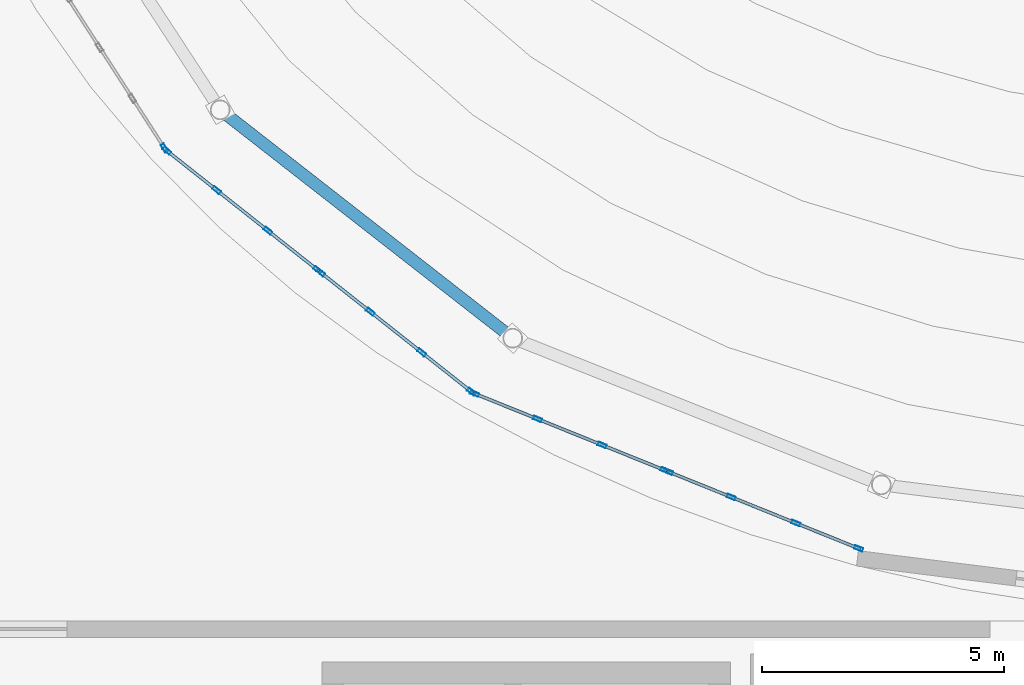
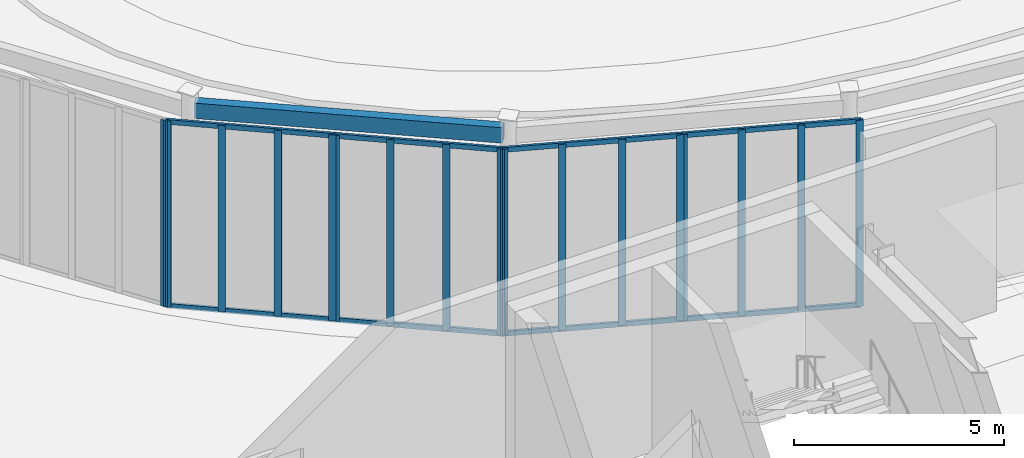
# One storey, part 33 of 94: 25 members, 1 beam, 5 elements without a shape of their own.
"""IFC4 building model written with IfcOpenShell, lengths in metres."""

import ifcopenshell
import ifcopenshell.guid

model = None  # the IFC model being written
_history = None  # IfcOwnerHistory: only IFC2X3 demands one
_inside = {}  # id of a spatial element -> (the spatial element, [elements in it])
_under = {}  # id of a project, library or spatial element -> (it, [spatial elements below it])
_declared = {}  # id of a project -> (the project, [libraries it declares])
_typed = {}  # id of a type object -> (the type object, [elements of that type])
_made_of = {}  # id of a material, layer set ... -> (it, [elements and type objects made of it])


def new_model(schema):
    """Start an empty IFC model of exactly this schema.

    Asked for "IFC4X3", IfcOpenShell would pick the latest addendum, in which some entities
    have other attributes; the version numbers below select the first issue.
    IFC2X3 requires an IfcOwnerHistory on every rooted entity: one is made here for all.
    """
    global model, _history
    if schema == "IFC4X3":
        model = ifcopenshell.file(schema_version=(4, 3, 0, 0))
    else:
        model = ifcopenshell.file(schema=schema)
    _inside.clear()
    _under.clear()
    _declared.clear()
    _typed.clear()
    _made_of.clear()
    _history = None
    if model.schema == "IFC2X3":
        org = make("IfcOrganization", Name="unknown")
        user = make(
            "IfcPersonAndOrganization",
            ThePerson=make("IfcPerson", FamilyName="unknown"),
            TheOrganization=org,
        )
        app = make(
            "IfcApplication",
            ApplicationDeveloper=org,
            Version="unknown",
            ApplicationFullName="unknown",
            ApplicationIdentifier="unknown",
        )
        _history = make(
            "IfcOwnerHistory",
            OwningUser=user,
            OwningApplication=app,
            ChangeAction="ADDED",
            CreationDate=0,
        )
    return model


def make(cls, **values):
    """One entity of the class cls with the attributes given. An attribute that is None is left unset."""
    return model.create_entity(
        cls, **{name: value for name, value in values.items() if value is not None}
    )


def rooted(cls, **values):
    """An entity with a GlobalId (a new one), such as an element, a storey or a relation."""
    return make(cls, GlobalId=ifcopenshell.guid.new(), OwnerHistory=_history, **values)


def si_unit(unit_type, name, prefix=None):
    """IfcSIUnit, for example si_unit("LENGTHUNIT", "METRE", prefix="MILLI")."""
    return make("IfcSIUnit", UnitType=unit_type, Prefix=prefix, Name=name)


def assignment(units):
    """IfcUnitAssignment: the units of a project."""
    return None if units is None else make("IfcUnitAssignment", Units=units)


def point(xyz):
    """IfcCartesianPoint."""
    return None if xyz is None else make("IfcCartesianPoint", Coordinates=xyz)


def direction(xyz):
    """IfcDirection."""
    return None if xyz is None else make("IfcDirection", DirectionRatios=xyz)


def frame(location, z_axis=None, x_axis=None):
    """IfcAxis2Placement3D, a coordinate frame: its origin and axes. An axis left out is left unset."""
    return make(
        "IfcAxis2Placement3D",
        Location=point(location),
        Axis=direction(z_axis),
        RefDirection=direction(x_axis),
    )


def frame_2d(location, x_axis=None):
    """IfcAxis2Placement2D, a coordinate frame in the plane: its origin and x axis."""
    return make(
        "IfcAxis2Placement2D", Location=point(location), RefDirection=direction(x_axis)
    )


def origin():
    """The frame at (0, 0, 0) with its axes left unset."""
    return frame((0.0, 0.0, 0.0))


def origin_2d():
    """The frame at (0, 0) in the plane with its x axis left unset."""
    return frame_2d((0.0, 0.0))


def place(relative_to, where):
    """IfcLocalPlacement: puts the frame where relative to a parent placement (None: the world)."""
    return make(
        "IfcLocalPlacement", PlacementRelTo=relative_to, RelativePlacement=where
    )


def context(
    kind, dimensions, precision=None, world=None, true_north=None, identifier=None
):
    """IfcGeometricRepresentationContext, for example the 3D "Model" context."""
    return make(
        "IfcGeometricRepresentationContext",
        ContextIdentifier=identifier,
        ContextType=kind,
        CoordinateSpaceDimension=dimensions,
        Precision=precision,
        WorldCoordinateSystem=world,
        TrueNorth=true_north,
    )


def subcontext(parent, identifier, kind, view, scale=None):
    """IfcGeometricRepresentationSubContext, for example "Body" below "Model"."""
    return make(
        "IfcGeometricRepresentationSubContext",
        ContextIdentifier=identifier,
        ContextType=kind,
        ParentContext=parent,
        TargetScale=scale,
        TargetView=view,
    )


def project(units=None, contexts=None):
    """IfcProject with its units and contexts."""
    return rooted(
        "IfcProject",
        Name="project",
        RepresentationContexts=contexts,
        UnitsInContext=assignment(units),
    )


def spatial(cls, under=None, at=None, **own):
    """A site, building, storey or space (cls), placed at a placement, below another one or the project."""
    s = rooted(cls, ObjectPlacement=at, **own)
    if under is not None:
        _under.setdefault(under.id(), (under, []))[1].append(s)
    return s


def profile(cls, at=None, kind="AREA", **sizes):
    """A parametric profile (cls). Its sizes go by their IFC names, for example OverallWidth=200.0."""
    return make(cls, ProfileType=kind, Position=at, **sizes)


def hollow_rectangle(**sizes):
    """IfcRectangleHollowProfileDef."""
    return profile("IfcRectangleHollowProfileDef", **sizes)


def extrude(swept, where, along, depth):
    """IfcExtrudedAreaSolid: the profile swept, set in the frame where, extruded along a direction by depth."""
    return make(
        "IfcExtrudedAreaSolid",
        SweptArea=swept,
        Position=where,
        ExtrudedDirection=direction(along),
        Depth=depth,
    )


def shape(context_of_items, identifier, shape_type, items):
    """IfcShapeRepresentation: the items that make up one representation, for example the "Body"."""
    return make(
        "IfcShapeRepresentation",
        ContextOfItems=context_of_items,
        RepresentationIdentifier=identifier,
        RepresentationType=shape_type,
        Items=items,
    )


def material(Name=None, Category=None):
    """IfcMaterial."""
    return make("IfcMaterial", Name=Name, Category=Category)


def layer(
    of_material, thickness, ventilated=None, Name=None, Category=None, Priority=None
):
    """IfcMaterialLayer: one layer of a wall or slab, of a material (None: an air gap)."""
    return make(
        "IfcMaterialLayer",
        Material=of_material,
        LayerThickness=thickness,
        IsVentilated=ventilated,
        Name=Name,
        Category=Category,
        Priority=Priority,
    )


def layer_set(layers, Name=None):
    """IfcMaterialLayerSet."""
    return make("IfcMaterialLayerSet", MaterialLayers=layers, LayerSetName=Name)


def material_profile(
    of_material, cross_section, Name=None, Category=None, Priority=None
):
    """IfcMaterialProfile: a cross section and its material."""
    return make(
        "IfcMaterialProfile",
        Name=Name,
        Material=of_material,
        Profile=cross_section,
        Priority=Priority,
        Category=Category,
    )


def profile_set(profiles, Name=None, composite=None):
    """IfcMaterialProfileSet."""
    return make(
        "IfcMaterialProfileSet",
        Name=Name,
        MaterialProfiles=profiles,
        CompositeProfile=composite,
    )


def made_of(thing, what):
    """Note that an element or type object is made of a material, layer set ...; save() writes the relation."""
    if what is not None:
        _made_of.setdefault(what.id(), (what, []))[1].append(thing)
    return thing


def type_object(cls, material=None, **own):
    """A type object (cls), such as IfcWallType, which elements share."""
    return made_of(rooted(cls, **own), material)


def element(
    cls,
    number,
    at=None,
    inside=None,
    cuts=None,
    type_object=None,
    material=None,
    context=None,
    identifier="Body",
    shape_type=None,
    held_by="IfcProductDefinitionShape",
    body=None,
    shapes=None,
    **own,
):
    """One element of the class cls, such as IfcWall. Its Tag is "e" and its number.

    at: its placement. inside: the storey or other place that contains it. cuts: it is an
    opening in that element (IfcRelVoidsElement). A single representation is given by context,
    identifier, shape_type and body (its items); several are given by shapes. held_by: the class
    of the entity that holds the representations. save() writes the other relations.
    """
    e = rooted(cls, Tag="e%d" % number, ObjectPlacement=at, **own)
    if body is not None:
        shapes = [shape(context, identifier, shape_type, body)]
    if shapes is not None:
        e.Representation = make(held_by, Representations=shapes)
    if inside is not None:
        _inside.setdefault(inside.id(), (inside, []))[1].append(e)
    if cuts is not None:
        rooted(
            "IfcRelVoidsElement", RelatingBuildingElement=cuts, RelatedOpeningElement=e
        )
    if type_object is not None:
        _typed.setdefault(type_object.id(), (type_object, []))[1].append(e)
    return made_of(e, material)


def aggregate(whole, parts):
    """IfcRelAggregates: a whole, such as a stair, and the parts it consists of."""
    return rooted("IfcRelAggregates", RelatingObject=whole, RelatedObjects=parts)


def save(model, path):
    """Write the relations noted so far, then the file.

    IfcRelAggregates (storeys below a building ...), IfcRelContainedInSpatialStructure (elements
    in a storey), IfcRelDefinesByType, IfcRelAssociatesMaterial and IfcRelDeclares: one each for
    every whole, place, type object, material and project.
    """
    for whole, parts in _under.values():
        aggregate(whole, parts)
    for where, things in _inside.values():
        rooted(
            "IfcRelContainedInSpatialStructure",
            RelatedElements=things,
            RelatingStructure=where,
        )
    for kind, things in _typed.values():
        rooted("IfcRelDefinesByType", RelatedObjects=things, RelatingType=kind)
    for what, things in _made_of.values():
        rooted("IfcRelAssociatesMaterial", RelatedObjects=things, RelatingMaterial=what)
    for by, libraries in _declared.values():
        rooted("IfcRelDeclares", RelatingContext=by, RelatedDefinitions=libraries)
    model.write(path)


model = new_model("IFC4")

# Units and contexts
model_context = context("Model", 3, precision=1e-05, world=origin(), true_north=direction((0.0, 1.0)))
body_context = subcontext(model_context, "Body", "Model", "MODEL_VIEW")
ifc_project = project(units=[si_unit("LENGTHUNIT", "METRE"), si_unit("AREAUNIT", "SQUARE_METRE"), si_unit("VOLUMEUNIT", "CUBIC_METRE"), si_unit("PLANEANGLEUNIT", "RADIAN"), si_unit("MASSUNIT", "GRAM", prefix="KILO")], contexts=[model_context])

# Site, building, storey
site_placement = place(None, origin())
site = spatial("IfcSite", under=ifc_project, at=site_placement, CompositionType="ELEMENT")
building_placement = place(site_placement, origin())
building = spatial("IfcBuilding", under=site, at=building_placement, Name="Sollismere Congress Hotel", CompositionType="ELEMENT")
storey_placement = place(building_placement, origin())
storey = spatial("IfcBuildingStorey", under=building, at=storey_placement, Name="L00", CompositionType="ELEMENT", Elevation=0.0)

# Beam
ifc_material_1 = material(Name="Steel ASTM A500 Grade C", Category="steel")
ifc_material_profile_1 = material_profile(ifc_material_1, hollow_rectangle(XDim=0.25, YDim=0.449951171875, WallThickness=0.01611328125, at=origin_2d()), Name="HSS450X250X16")
ifc_profile_set_1 = profile_set([ifc_material_profile_1], Name="Steel ASTM A500 Grade C")
beam_type = type_object("IfcBeamType", Name="BM-BX450", PredefinedType="HOLLOWCORE", material=ifc_profile_set_1)
beam_placement = place(storey_placement, frame((6.968017578125, 77.777099609375, 4.889892578125), z_axis=(0.788263734949, -0.615337536775, 0.0), x_axis=(0.615337536775, 0.788263734949, 0.0)))
element("IfcBeam", 1, at=beam_placement, inside=storey, type_object=beam_type, Name="Beam BM-L00-4178", PredefinedType="HOLLOWCORE", context=body_context, shape_type="SweptSolid", body=[
    extrude(hollow_rectangle(XDim=0.25, YDim=0.449951171875, WallThickness=0.01611328125, at=origin_2d()), origin(), (0.0, 0.0, 1.0), 7.43603515625),
])

# Curtain wall, member
ifc_material_2 = material(Name="Anodized Bronze Curtain Wall & Low-E Triple Glazing", Category="glass")
ifc_layer = layer(ifc_material_2, 0.199951171875, Name="Anodized Bronze Curtain Wall & Low-E Triple Glazing")
ifc_layer_set = layer_set([ifc_layer], Name="Anodized Bronze Curtain Wall & Low-E Triple Glazing")
curtain_wall_type = type_object("IfcCurtainWallType", Name="CW-GLZ36", PredefinedType="USERDEFINED", material=ifc_layer_set)
curtain_wall_1_placement = place(storey_placement, origin())
curtain_wall_1 = element("IfcCurtainWall", 2, at=curtain_wall_1_placement, inside=storey, type_object=curtain_wall_type, Name="Unitised curtain wall CW-L00-048", ObjectType="UNITISED CURTAIN WALL", PredefinedType="USERDEFINED")
ifc_material_3 = material(Name="Anodized Aluminum 6063-T6", Category="aluminium")
ifc_material_profile_2 = material_profile(ifc_material_3, hollow_rectangle(XDim=0.074951171875, YDim=0.179931640625, WallThickness=0.0048828125, at=origin_2d()), Name="ALU180X75X5")
ifc_profile_set_2 = profile_set([ifc_material_profile_2], Name="Anodized Aluminum 6063-T6")
member_type_1 = type_object("IfcMemberType", Name="ML-CW180", PredefinedType="MULLION", material=ifc_profile_set_2)
member_1_placement = place(storey_placement, frame((5.72021484375, 77.059814453125, 0.0), z_axis=(0.0, 0.0, 1.0), x_axis=(0.840774542547, 0.541385415951, 0.0)))
member_1 = element("IfcMember", 3, at=member_1_placement, type_object=member_type_1, Name="CWL-CW-L00-048-ML04", PredefinedType="MULLION", context=body_context, shape_type="SweptSolid", body=[
    extrude(hollow_rectangle(XDim=0.074951171875, YDim=0.179931640625, WallThickness=0.0048828125, at=origin_2d()), origin(), (0.0, 0.0, 1.0), 5.419921875),
])
aggregate(curtain_wall_1, [member_1])

# Curtain wall, members
curtain_wall_2_placement = place(storey_placement, origin())
curtain_wall_2 = element("IfcCurtainWall", 4, at=curtain_wall_2_placement, inside=storey, type_object=curtain_wall_type, Name="Unitised curtain wall CW-L00-053", ObjectType="UNITISED CURTAIN WALL", PredefinedType="USERDEFINED")
member_2_placement = place(storey_placement, frame((5.7705078125, 77.00439453125, 0.0), z_axis=(0.0, 0.0, 1.0), x_axis=(0.620532077362, 0.784181063891, 0.0)))
member_2 = element("IfcMember", 5, at=member_2_placement, type_object=member_type_1, Name="CWL-CW-L00-053-ML01", PredefinedType="MULLION", context=body_context, shape_type="SweptSolid", body=[
    extrude(hollow_rectangle(XDim=0.074951171875, YDim=0.179931640625, WallThickness=0.0048828125, at=origin_2d()), origin(), (0.0, 0.0, 1.0), 5.419921875),
])
member_3_placement = place(storey_placement, frame((6.80078125, 76.189208984375, 0.0), z_axis=(0.0, 0.0, 1.0), x_axis=(0.620532077362, 0.784181063891, 0.0)))
member_3 = element("IfcMember", 6, at=member_3_placement, type_object=member_type_1, Name="CWL-CW-L00-053-ML02", PredefinedType="MULLION", context=body_context, shape_type="SweptSolid", body=[
    extrude(hollow_rectangle(XDim=0.074951171875, YDim=0.179931640625, WallThickness=0.0048828125, at=origin_2d()), origin(), (0.0, 0.0, 1.0), 5.419921875),
])
member_4_placement = place(storey_placement, frame((7.86083984375, 75.35009765625, 0.0), z_axis=(0.0, 0.0, 1.0), x_axis=(0.620532077362, 0.784181063891, 0.0)))
member_4 = element("IfcMember", 7, at=member_4_placement, type_object=member_type_1, Name="CWL-CW-L00-053-ML03", PredefinedType="MULLION", context=body_context, shape_type="SweptSolid", body=[
    extrude(hollow_rectangle(XDim=0.074951171875, YDim=0.179931640625, WallThickness=0.0048828125, at=origin_2d()), origin(), (0.0, 0.0, 1.0), 5.419921875),
])
member_5_placement = place(storey_placement, frame((8.89111328125, 74.534912109375, 0.0), z_axis=(0.0, 0.0, 1.0), x_axis=(0.620532077362, 0.784181063891, 0.0)))
member_5 = element("IfcMember", 8, at=member_5_placement, type_object=member_type_1, Name="CWL-CW-L00-053-ML04", PredefinedType="MULLION", context=body_context, shape_type="SweptSolid", body=[
    extrude(hollow_rectangle(XDim=0.074951171875, YDim=0.179931640625, WallThickness=0.0048828125, at=origin_2d()), origin(), (0.0, 0.0, 1.0), 5.419921875),
])

curtain_wall_3_placement = place(storey_placement, origin())
curtain_wall_3 = element("IfcCurtainWall", 9, at=curtain_wall_3_placement, inside=storey, type_object=curtain_wall_type, Name="Unitised curtain wall CW-L00-054", ObjectType="UNITISED CURTAIN WALL", PredefinedType="USERDEFINED")
member_6_placement = place(storey_placement, frame((8.95068359375, 74.48779296875, 0.0), z_axis=(0.0, 0.0, 1.0), x_axis=(0.620532077362, 0.784181063891, 0.0)))
member_6 = element("IfcMember", 10, at=member_6_placement, type_object=member_type_1, Name="CWL-CW-L00-054-ML01", PredefinedType="MULLION", context=body_context, shape_type="SweptSolid", body=[
    extrude(hollow_rectangle(XDim=0.074951171875, YDim=0.179931640625, WallThickness=0.0048828125, at=origin_2d()), origin(), (0.0, 0.0, 1.0), 5.419921875),
])
member_7_placement = place(storey_placement, frame((9.981201171875, 73.672607421875, 0.0), z_axis=(0.0, 0.0, 1.0), x_axis=(0.620532077362, 0.784181063891, 0.0)))
member_7 = element("IfcMember", 11, at=member_7_placement, type_object=member_type_1, Name="CWL-CW-L00-054-ML02", PredefinedType="MULLION", context=body_context, shape_type="SweptSolid", body=[
    extrude(hollow_rectangle(XDim=0.074951171875, YDim=0.179931640625, WallThickness=0.0048828125, at=origin_2d()), origin(), (0.0, 0.0, 1.0), 5.419921875),
])
member_8_placement = place(storey_placement, frame((11.041015625, 72.833740234375, 0.0), z_axis=(0.0, 0.0, 1.0), x_axis=(0.620532077362, 0.784181063891, 0.0)))
member_8 = element("IfcMember", 12, at=member_8_placement, type_object=member_type_1, Name="CWL-CW-L00-054-ML03", PredefinedType="MULLION", context=body_context, shape_type="SweptSolid", body=[
    extrude(hollow_rectangle(XDim=0.074951171875, YDim=0.179931640625, WallThickness=0.0048828125, at=origin_2d()), origin(), (0.0, 0.0, 1.0), 5.419921875),
])
member_9_placement = place(storey_placement, frame((12.0712890625, 72.0185546875, 0.0), z_axis=(0.0, 0.0, 1.0), x_axis=(0.620532077362, 0.784181063891, 0.0)))
member_9 = element("IfcMember", 13, at=member_9_placement, type_object=member_type_1, Name="CWL-CW-L00-054-ML04", PredefinedType="MULLION", context=body_context, shape_type="SweptSolid", body=[
    extrude(hollow_rectangle(XDim=0.074951171875, YDim=0.179931640625, WallThickness=0.0048828125, at=origin_2d()), origin(), (0.0, 0.0, 1.0), 5.419921875),
])

curtain_wall_4_placement = place(storey_placement, origin())
curtain_wall_4 = element("IfcCurtainWall", 14, at=curtain_wall_4_placement, inside=storey, type_object=curtain_wall_type, Name="Unitised curtain wall CW-L00-059", ObjectType="UNITISED CURTAIN WALL", PredefinedType="USERDEFINED")
member_10_placement = place(storey_placement, frame((12.136474609375, 71.980712890625, 0.0), z_axis=(0.0, 0.0, 1.0), x_axis=(0.373943018709, 0.927451680013, 0.0)))
member_10 = element("IfcMember", 15, at=member_10_placement, type_object=member_type_1, Name="CWL-CW-L00-059-ML01", PredefinedType="MULLION", context=body_context, shape_type="SweptSolid", body=[
    extrude(hollow_rectangle(XDim=0.074951171875, YDim=0.179931640625, WallThickness=0.0048828125, at=origin_2d()), origin(), (0.0, 0.0, 1.0), 5.419921875),
])
member_11_placement = place(storey_placement, frame((13.43701171875, 71.456298828125, 0.0), z_axis=(0.0, 0.0, 1.0), x_axis=(0.373943018709, 0.927451680013, 0.0)))
member_11 = element("IfcMember", 16, at=member_11_placement, type_object=member_type_1, Name="CWL-CW-L00-059-ML02", PredefinedType="MULLION", context=body_context, shape_type="SweptSolid", body=[
    extrude(hollow_rectangle(XDim=0.074951171875, YDim=0.179931640625, WallThickness=0.0048828125, at=origin_2d()), origin(), (0.0, 0.0, 1.0), 5.419921875),
])
member_12_placement = place(storey_placement, frame((14.772705078125, 70.917724609375, 0.0), z_axis=(0.0, 0.0, 1.0), x_axis=(0.373943018709, 0.927451680013, 0.0)))
member_12 = element("IfcMember", 17, at=member_12_placement, type_object=member_type_1, Name="CWL-CW-L00-059-ML03", PredefinedType="MULLION", context=body_context, shape_type="SweptSolid", body=[
    extrude(hollow_rectangle(XDim=0.074951171875, YDim=0.179931640625, WallThickness=0.0048828125, at=origin_2d()), origin(), (0.0, 0.0, 1.0), 5.419921875),
])
member_13_placement = place(storey_placement, frame((16.0732421875, 70.393310546875, 0.0), z_axis=(0.0, 0.0, 1.0), x_axis=(0.373943018709, 0.927451680013, 0.0)))
member_13 = element("IfcMember", 18, at=member_13_placement, type_object=member_type_1, Name="CWL-CW-L00-059-ML04", PredefinedType="MULLION", context=body_context, shape_type="SweptSolid", body=[
    extrude(hollow_rectangle(XDim=0.074951171875, YDim=0.179931640625, WallThickness=0.0048828125, at=origin_2d()), origin(), (0.0, 0.0, 1.0), 5.419921875),
])

curtain_wall_5_placement = place(storey_placement, origin())
curtain_wall_5 = element("IfcCurtainWall", 19, at=curtain_wall_5_placement, inside=storey, type_object=curtain_wall_type, Name="Unitised curtain wall CW-L00-060", ObjectType="UNITISED CURTAIN WALL", PredefinedType="USERDEFINED")
member_14_placement = place(storey_placement, frame((16.143798828125, 70.364990234375, 0.0), z_axis=(0.0, 0.0, 1.0), x_axis=(0.373943018709, 0.927451680013, 0.0)))
member_14 = element("IfcMember", 20, at=member_14_placement, type_object=member_type_1, Name="CWL-CW-L00-060-ML01", PredefinedType="MULLION", context=body_context, shape_type="SweptSolid", body=[
    extrude(hollow_rectangle(XDim=0.074951171875, YDim=0.179931640625, WallThickness=0.0048828125, at=origin_2d()), origin(), (0.0, 0.0, 1.0), 5.419921875),
])
member_15_placement = place(storey_placement, frame((17.4443359375, 69.840576171875, 0.0), z_axis=(0.0, 0.0, 1.0), x_axis=(0.373943018709, 0.927451680013, 0.0)))
member_15 = element("IfcMember", 21, at=member_15_placement, type_object=member_type_1, Name="CWL-CW-L00-060-ML02", PredefinedType="MULLION", context=body_context, shape_type="SweptSolid", body=[
    extrude(hollow_rectangle(XDim=0.074951171875, YDim=0.179931640625, WallThickness=0.0048828125, at=origin_2d()), origin(), (0.0, 0.0, 1.0), 5.419921875),
])
member_16_placement = place(storey_placement, frame((18.780029296875, 69.302001953125, 0.0), z_axis=(0.0, 0.0, 1.0), x_axis=(0.373943018709, 0.927451680013, 0.0)))
member_16 = element("IfcMember", 22, at=member_16_placement, type_object=member_type_1, Name="CWL-CW-L00-060-ML03", PredefinedType="MULLION", context=body_context, shape_type="SweptSolid", body=[
    extrude(hollow_rectangle(XDim=0.074951171875, YDim=0.179931640625, WallThickness=0.0048828125, at=origin_2d()), origin(), (0.0, 0.0, 1.0), 5.419921875),
])
member_17_placement = place(storey_placement, frame((20.08056640625, 68.777587890625, 0.0), z_axis=(0.0, 0.0, 1.0), x_axis=(0.373943018709, 0.927451680013, 0.0)))
member_17 = element("IfcMember", 23, at=member_17_placement, type_object=member_type_1, Name="CWL-CW-L00-060-ML04", PredefinedType="MULLION", context=body_context, shape_type="SweptSolid", body=[
    extrude(hollow_rectangle(XDim=0.074951171875, YDim=0.179931640625, WallThickness=0.0048828125, at=origin_2d()), origin(), (0.0, 0.0, 1.0), 5.419921875),
])

# Member
ifc_material_profile_3 = material_profile(ifc_material_3, hollow_rectangle(XDim=0.06494140625, YDim=0.139892578125, WallThickness=0.00390625, at=origin_2d()), Name="ALU140X65X4")
ifc_profile_set_3 = profile_set([ifc_material_profile_3], Name="Anodized Aluminum 6063-T6")
member_type_2 = type_object("IfcMemberType", Name="TR-CW150", PredefinedType="MEMBER", material=ifc_profile_set_3)
member_18_placement = place(storey_placement, frame((5.74072265625, 77.02783203125, 0.032470703125), z_axis=(0.78419961589, -0.620508632042, 0.0), x_axis=(0.620508632042, 0.78419961589, 0.0)))
member_18 = element("IfcMember", 24, at=member_18_placement, type_object=member_type_2, Name="CWL-CW-L00-053-TR1", PredefinedType="MEMBER", context=body_context, shape_type="SweptSolid", body=[
    extrude(hollow_rectangle(XDim=0.06494140625, YDim=0.139892578125, WallThickness=0.00390625, at=origin_2d()), origin(), (0.0, 0.0, 1.0), 4.055419921875),
])

member_19_placement = place(storey_placement, frame((5.74072265625, 77.02783203125, 5.387451171875), z_axis=(0.78419961589, -0.620508632042, 0.0), x_axis=(0.620508632042, 0.78419961589, 0.0)))
member_19 = element("IfcMember", 25, at=member_19_placement, type_object=member_type_2, Name="CWL-CW-L00-053-TR2", PredefinedType="MEMBER", context=body_context, shape_type="SweptSolid", body=[
    extrude(hollow_rectangle(XDim=0.06494140625, YDim=0.139892578125, WallThickness=0.00390625, at=origin_2d()), origin(), (0.0, 0.0, 1.0), 4.055419921875),
])

aggregate(curtain_wall_2, [member_2, member_3, member_4, member_5, member_18, member_19])

member_20_placement = place(storey_placement, frame((8.9208984375, 74.511474609375, 0.032470703125), z_axis=(0.784193501486, -0.620516359355, 0.0), x_axis=(0.620516359355, 0.784193501486, 0.0)))
member_20 = element("IfcMember", 26, at=member_20_placement, type_object=member_type_2, Name="CWL-CW-L00-054-TR1", PredefinedType="MEMBER", context=body_context, shape_type="SweptSolid", body=[
    extrude(hollow_rectangle(XDim=0.06494140625, YDim=0.139892578125, WallThickness=0.00390625, at=origin_2d()), origin(), (0.0, 0.0, 1.0), 4.0556640625),
])

member_21_placement = place(storey_placement, frame((8.9208984375, 74.511474609375, 5.387451171875), z_axis=(0.784193501486, -0.620516359355, 0.0), x_axis=(0.620516359355, 0.784193501486, 0.0)))
member_21 = element("IfcMember", 27, at=member_21_placement, type_object=member_type_2, Name="CWL-CW-L00-054-TR2", PredefinedType="MEMBER", context=body_context, shape_type="SweptSolid", body=[
    extrude(hollow_rectangle(XDim=0.06494140625, YDim=0.139892578125, WallThickness=0.00390625, at=origin_2d()), origin(), (0.0, 0.0, 1.0), 4.0556640625),
])

aggregate(curtain_wall_3, [member_6, member_7, member_8, member_9, member_20, member_21])

member_22_placement = place(storey_placement, frame((12.101318359375, 71.994873046875, 0.032470703125), z_axis=(0.927444316939, -0.373961280052, 0.0), x_axis=(0.373961280052, 0.927444316939, 0.0)))
member_22 = element("IfcMember", 28, at=member_22_placement, type_object=member_type_2, Name="CWL-CW-L00-059-TR1", PredefinedType="MEMBER", context=body_context, shape_type="SweptSolid", body=[
    extrude(hollow_rectangle(XDim=0.06494140625, YDim=0.139892578125, WallThickness=0.00390625, at=origin_2d()), origin(), (0.0, 0.0, 1.0), 4.320556640625),
])

member_23_placement = place(storey_placement, frame((12.101318359375, 71.994873046875, 5.387451171875), z_axis=(0.927444316939, -0.373961280052, 0.0), x_axis=(0.373961280052, 0.927444316939, 0.0)))
member_23 = element("IfcMember", 29, at=member_23_placement, type_object=member_type_2, Name="CWL-CW-L00-059-TR2", PredefinedType="MEMBER", context=body_context, shape_type="SweptSolid", body=[
    extrude(hollow_rectangle(XDim=0.06494140625, YDim=0.139892578125, WallThickness=0.00390625, at=origin_2d()), origin(), (0.0, 0.0, 1.0), 4.320556640625),
])

aggregate(curtain_wall_4, [member_10, member_11, member_12, member_13, member_22, member_23])

member_24_placement = place(storey_placement, frame((16.1083984375, 70.379150390625, 0.032470703125), z_axis=(0.927452218611, -0.373941682878, 0.0), x_axis=(0.373941682878, 0.927452218611, 0.0)))
member_24 = element("IfcMember", 30, at=member_24_placement, type_object=member_type_2, Name="CWL-CW-L00-060-TR1", PredefinedType="MEMBER", context=body_context, shape_type="SweptSolid", body=[
    extrude(hollow_rectangle(XDim=0.06494140625, YDim=0.139892578125, WallThickness=0.00390625, at=origin_2d()), origin(), (0.0, 0.0, 1.0), 4.32080078125),
])

member_25_placement = place(storey_placement, frame((16.1083984375, 70.379150390625, 5.387451171875), z_axis=(0.927452218611, -0.373941682878, 0.0), x_axis=(0.373941682878, 0.927452218611, 0.0)))
member_25 = element("IfcMember", 31, at=member_25_placement, type_object=member_type_2, Name="CWL-CW-L00-060-TR2", PredefinedType="MEMBER", context=body_context, shape_type="SweptSolid", body=[
    extrude(hollow_rectangle(XDim=0.06494140625, YDim=0.139892578125, WallThickness=0.00390625, at=origin_2d()), origin(), (0.0, 0.0, 1.0), 4.32080078125),
])

aggregate(curtain_wall_5, [member_14, member_15, member_16, member_17, member_24, member_25])

save(model, "model.ifc")
